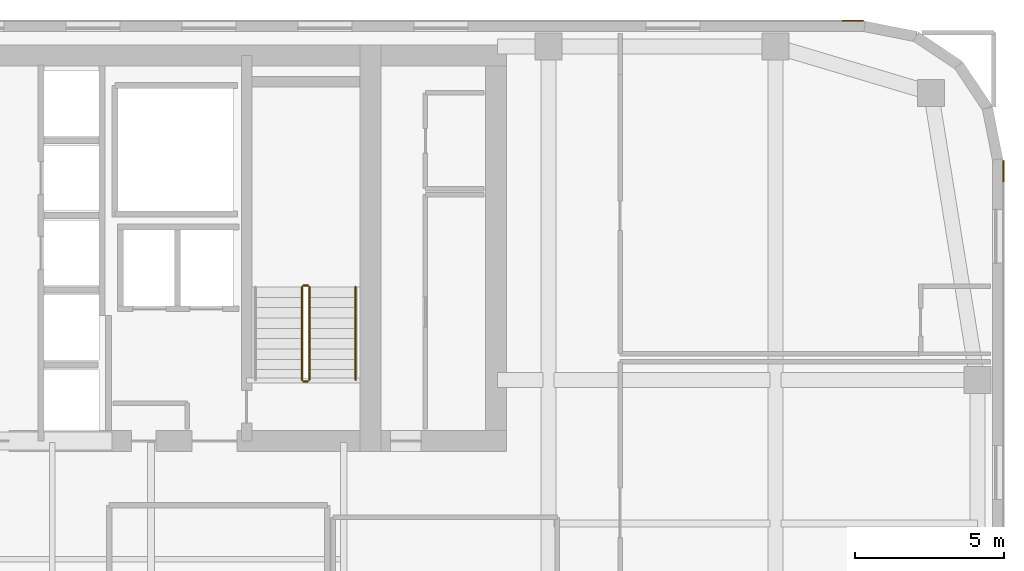
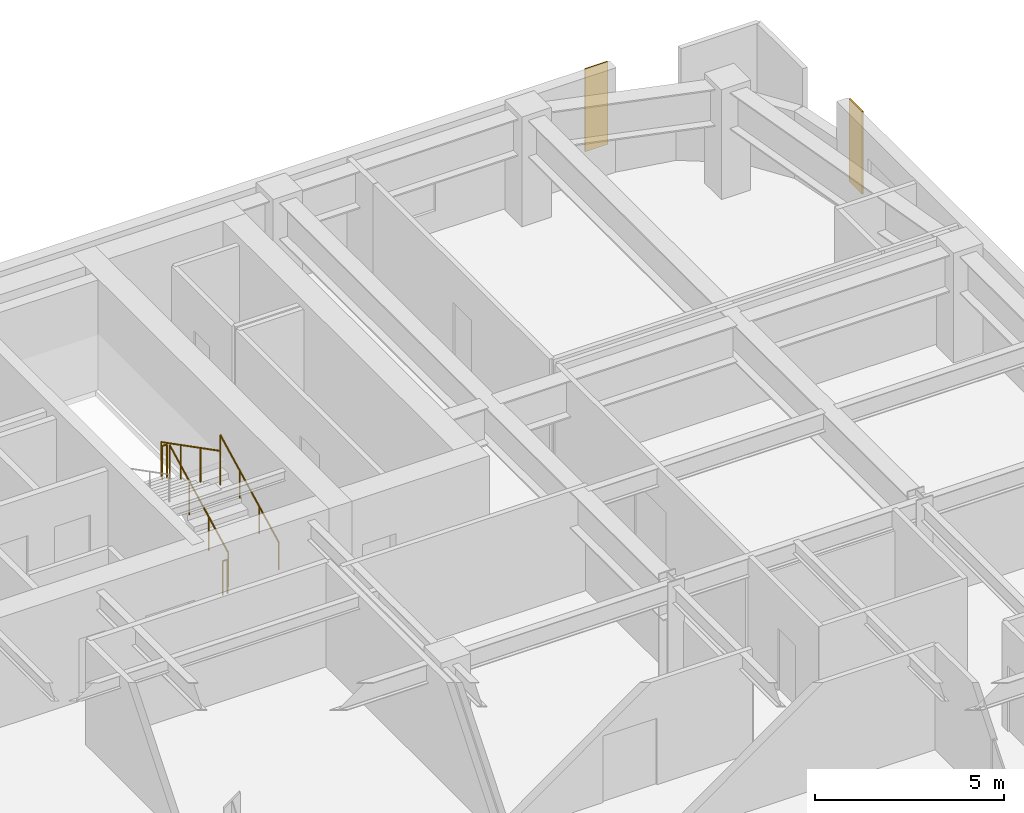
# One storey, part 37 of 37: 5 railings, 2 coverings.
"""IFC4 building model written with IfcOpenShell, lengths in metres."""

from ifc_helpers import new_model, si_unit, direction, frame, origin, origin_2d, place, context, subcontext, project, spatial, polyline, circle, outline, extrude, material, layer, layer_set, type_object, element, save


model = new_model("IFC4")

# Units and contexts
model_context = context("Model", 3, precision=1e-05, world=origin(), true_north=direction((0.0, 1.0)))
body_context = subcontext(model_context, "Body", "Model", "MODEL_VIEW")
ifc_project = project(units=[si_unit("LENGTHUNIT", "METRE"), si_unit("AREAUNIT", "SQUARE_METRE"), si_unit("VOLUMEUNIT", "CUBIC_METRE"), si_unit("PLANEANGLEUNIT", "RADIAN"), si_unit("MASSUNIT", "GRAM", prefix="KILO")], contexts=[model_context])

# Site, building, storey
site_placement = place(None, origin())
site = spatial("IfcSite", under=ifc_project, at=site_placement, CompositionType="ELEMENT")
building_placement = place(site_placement, origin())
building = spatial("IfcBuilding", under=site, at=building_placement, Name="Tolvann Quenvar Hotel", CompositionType="ELEMENT")
storey_placement = place(building_placement, frame((0.0, 0.0, 104.449951171875)))
storey = spatial("IfcBuildingStorey", under=building, at=storey_placement, Name="L26", CompositionType="ELEMENT", Elevation=104.449951171875)

# Coverings
ifc_material_1 = material(Name="Kiln-fired red architectural face brick cladding", Category="masonry")
ifc_layer = layer(ifc_material_1, 0.0400390625)
ifc_layer_set = layer_set([ifc_layer], Name="Kiln-fired red architectural face brick cladding")
covering_type = type_object("IfcCoveringType", Name="COV_CLAD_BRICK_40", PredefinedType="CLADDING", material=ifc_layer_set)
covering_1_placement = place(storey_placement, frame((0.0, 0.0, 0.699951171875)))
element("IfcCovering", 1, at=covering_1_placement, inside=storey, type_object=covering_type, Name="Brick Pier Cladding (L26-E13-P2)", PredefinedType="CLADDING", context=body_context, shape_type="SweptSolid", body=[
    extrude(outline(polyline([(57.0, 40.6328125), (57.0, 41.332763671875), (57.0400390625, 41.332763671875), (57.0400390625, 40.6328125), (57.0, 40.6328125)])), origin(), (0.0, 0.0, 1.0), 2.670166015625),
])
covering_2_placement = place(storey_placement, frame((0.0, 0.0, 0.699951171875)))
element("IfcCovering", 2, at=covering_2_placement, inside=storey, type_object=covering_type, Name="Brick Pier Cladding (L26-E18-P1)", PredefinedType="CLADDING", context=body_context, shape_type="SweptSolid", body=[
    extrude(outline(polyline([(52.332763671875, 46.0), (51.6328125, 46.0), (51.6328125, 46.0400390625), (52.332763671875, 46.0400390625), (52.332763671875, 46.0)])), origin(), (0.0, 0.0, 1.0), 2.670166015625),
])

# Railings
ifc_material_2 = material(Name="Brushed 316 stainless steel balustrade and handrail", Category="steel")
railing_type_1 = type_object("IfcRailingType", Name="GUARDRAIL", PredefinedType="GUARDRAIL", material=ifc_material_2)
railing_1_placement = place(storey_placement, frame((33.800048828125, 34.0, 0.177490234375)))
element("IfcRailing", 3, at=railing_1_placement, inside=storey, type_object=railing_type_1, Name="L26 ST-C2 stair guard 1", PredefinedType="GUARDRAIL", context=body_context, shape_type="SweptSolid", body=[
    extrude(circle(Radius=0.02392578125, at=origin_2d()), frame((0.0, 0.0, 1.09619140625), z_axis=(0.0, 0.88919353882, 0.457531256332), x_axis=(-1.0, 0.0, 0.0)), (0.0, 0.0, 1.0), 3.491943359375),
    extrude(circle(Radius=0.02099609375, at=origin_2d()), origin(), (0.0, 0.0, 1.0), 1.072021484375),
    extrude(circle(Radius=0.02099609375, at=origin_2d()), frame((0.0, 1.034912109375, 0.532470703125)), (0.0, 0.0, 1.0), 1.072021484375),
    extrude(circle(Radius=0.02099609375, at=origin_2d()), frame((0.0, 2.070068359375, 1.065185546875)), (0.0, 0.0, 1.0), 1.072021484375),
    extrude(circle(Radius=0.02099609375, at=origin_2d()), frame((0.0, 3.10498046875, 1.59765625)), (0.0, 0.0, 1.0), 1.072021484375),
])
railing_2_placement = place(storey_placement, frame((33.75, 37.155029296875, 1.775146484375)))
element("IfcRailing", 4, at=railing_2_placement, inside=storey, type_object=railing_type_1, Name="L26 ST-C2 stair guard 2", PredefinedType="GUARDRAIL", context=body_context, shape_type="SweptSolid", body=[
    extrude(circle(Radius=0.02392578125, at=origin_2d()), frame((0.0, 0.0, 1.09619140625), z_axis=(-1.0, 0.0, 0.0), x_axis=(0.0, -1.0, 0.0)), (0.0, 0.0, 1.0), 0.14990234375),
    extrude(circle(Radius=0.02099609375, at=origin_2d()), origin(), (0.0, 0.0, 1.0), 1.072021484375),
    extrude(circle(Radius=0.02099609375, at=origin_2d()), frame((-0.14990234375, 0.0, 0.0)), (0.0, 0.0, 1.0), 1.072021484375),
])
railing_3_placement = place(storey_placement, frame((33.550048828125, 37.10498046875, 1.95263671875)))
element("IfcRailing", 5, at=railing_3_placement, inside=storey, type_object=railing_type_1, Name="L26 ST-C2 stair guard 3", PredefinedType="GUARDRAIL", context=body_context, shape_type="SweptSolid", body=[
    extrude(circle(Radius=0.02392578125, at=origin_2d()), frame((0.0, 0.0, 1.09619140625), z_axis=(0.0, -0.889221982265, 0.45747597342), x_axis=(1.0, 0.0, 0.0)), (0.0, 0.0, 1.0), 3.49169921875),
    extrude(circle(Radius=0.02099609375, at=origin_2d()), origin(), (0.0, 0.0, 1.0), 1.072021484375),
    extrude(circle(Radius=0.02099609375, at=origin_2d()), frame((0.0, -1.034912109375, 0.532470703125)), (0.0, 0.0, 1.0), 1.072021484375),
    extrude(circle(Radius=0.02099609375, at=origin_2d()), frame((0.0, -2.070068359375, 1.06494140625)), (0.0, 0.0, 1.0), 1.072021484375),
    extrude(circle(Radius=0.02099609375, at=origin_2d()), frame((0.0, -3.10498046875, 1.597412109375)), (0.0, 0.0, 1.0), 1.072021484375),
])
railing_4_placement = place(storey_placement, frame((33.75, 33.949951171875, 0.0)))
element("IfcRailing", 6, at=railing_4_placement, inside=storey, type_object=railing_type_1, Name="L26 ST-C2 stair guard 4", PredefinedType="GUARDRAIL", context=body_context, shape_type="SweptSolid", body=[
    extrude(circle(Radius=0.02392578125, at=origin_2d()), frame((0.0, 0.0, 1.09619140625), z_axis=(-1.0, 0.0, 0.0), x_axis=(0.0, -1.0, 0.0)), (0.0, 0.0, 1.0), 0.14990234375),
    extrude(circle(Radius=0.02099609375, at=origin_2d()), origin(), (0.0, 0.0, 1.0), 1.072021484375),
    extrude(circle(Radius=0.02099609375, at=origin_2d()), frame((-0.14990234375, 0.0, 0.0)), (0.0, 0.0, 1.0), 1.072021484375),
])
railing_type_2 = type_object("IfcRailingType", Name="HANDRAIL", PredefinedType="HANDRAIL", material=ifc_material_2)
railing_5_placement = place(storey_placement, frame((35.35009765625, 34.0, 0.177490234375)))
element("IfcRailing", 7, at=railing_5_placement, inside=storey, type_object=railing_type_2, Name="L26 ST-C2 stair handrail 1", PredefinedType="HANDRAIL", context=body_context, shape_type="SweptSolid", body=[
    extrude(circle(Radius=0.02392578125, at=origin_2d()), frame((0.0, 0.0, 0.8759765625), z_axis=(0.0, 0.88919353882, 0.457531256332), x_axis=(-1.0, 0.0, 0.0)), (0.0, 0.0, 1.0), 3.491943359375),
    extrude(circle(Radius=0.02099609375, at=origin_2d()), origin(), (0.0, 0.0, 1.0), 0.851806640625),
    extrude(circle(Radius=0.02099609375, at=origin_2d()), frame((0.0, 1.034912109375, 0.532470703125)), (0.0, 0.0, 1.0), 0.851806640625),
    extrude(circle(Radius=0.02099609375, at=origin_2d()), frame((0.0, 2.070068359375, 1.065185546875)), (0.0, 0.0, 1.0), 0.851806640625),
    extrude(circle(Radius=0.02099609375, at=origin_2d()), frame((0.0, 3.10498046875, 1.59765625)), (0.0, 0.0, 1.0), 0.851806640625),
])

save(model, "model.ifc")
